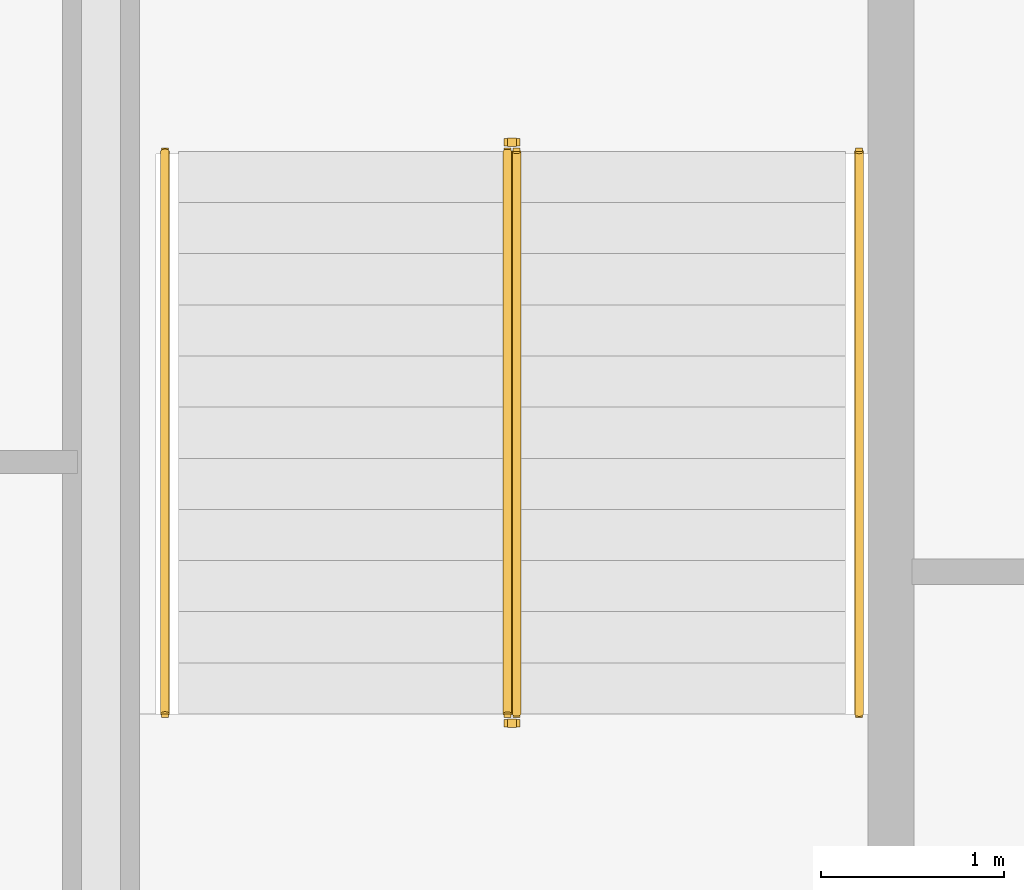
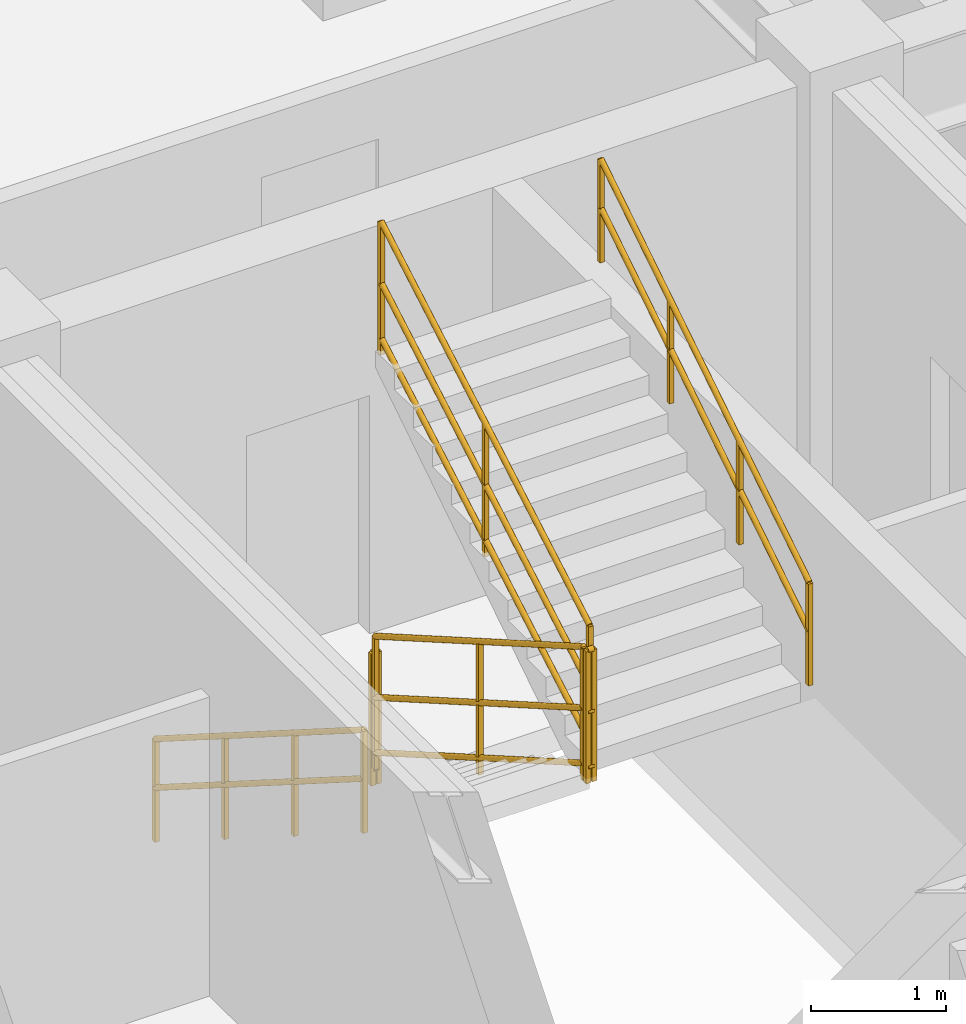
# One storey, part 9 of 9: 6 railings.
"""IFC4 building model written with IfcOpenShell, lengths in metres."""

from ifc_helpers import new_model, entity, si_unit, converted_unit, direction, frame, origin_with_axes, origin_2d_with_axis, place, context, subcontext, project, spatial, rectangle, circle, extrude, material, type_object, element, save


model = new_model("IFC4")

# Units and contexts
model_context = context("Model", 3, precision=1e-05, world=origin_with_axes(), true_north=direction((0.0, 1.0)))
body_context = subcontext(model_context, "Body", "Model", "MODEL_VIEW")
ifc_project = project(units=[si_unit("LENGTHUNIT", "METRE"), si_unit("AREAUNIT", "SQUARE_METRE"), si_unit("VOLUMEUNIT", "CUBIC_METRE"), converted_unit("PLANEANGLEUNIT", "DEGREE", entity("IfcPlaneAngleMeasure", 0.017453292519943295), si_unit("PLANEANGLEUNIT", "RADIAN"), dimensions=[0, 0, 0, 0, 0, 0, 0]), si_unit("MASSUNIT", "GRAM", prefix="KILO"), si_unit("THERMODYNAMICTEMPERATUREUNIT", "KELVIN")], contexts=[model_context])

# Site, building, storey
site_placement = place(None, origin_with_axes())
site = spatial("IfcSite", under=ifc_project, at=site_placement, CompositionType="ELEMENT")
building_placement = place(site_placement, origin_with_axes())
building = spatial("IfcBuilding", under=site, at=building_placement, Name="Varnlund Millrace Tower", CompositionType="ELEMENT")
storey_placement = place(building_placement, frame((0.0, 0.0, 252.9), z_axis=(0.0, 0.0, 1.0), x_axis=(1.0, 0.0, 0.0)))
storey = spatial("IfcBuildingStorey", under=building, at=storey_placement, Name="L62", CompositionType="ELEMENT", Elevation=252.9)

# Railings
ifc_material_1 = material(Name="Painted steel stair well balustrade guard", Category="steel")
railing_type_1 = type_object("IfcRailingType", Name="Type-StairGuard-1150", PredefinedType="GUARDRAIL", material=ifc_material_1)
railing_1_placement = place(storey_placement, frame((0.0, 0.0, -252.9), z_axis=(0.0, 0.0, 1.0), x_axis=(1.0, 0.0, 0.0)))
element("IfcRailing", 1, at=railing_1_placement, inside=storey, type_object=railing_type_1, Name="Type-StairGuard-1150", PredefinedType="GUARDRAIL", context=body_context, shape_type="SweptSolid", body=[
    extrude(circle(Radius=0.024, at=origin_2d_with_axis()), frame((13.625, 35.9, 254.227273), z_axis=(0.0, -0.866696, 0.498836), x_axis=(1.0, 0.0, 0.0)), (0.0, 0.0, 1.0), 3.553725),
    extrude(circle(Radius=0.024, at=origin_2d_with_axis()), frame((13.625, 35.9, 253.177273), z_axis=(0.0, -0.866696, 0.498836), x_axis=(1.0, 0.0, 0.0)), (0.0, 0.0, 1.0), 3.553725),
    extrude(circle(Radius=0.024, at=origin_2d_with_axis()), frame((13.625, 35.9, 253.675273), z_axis=(0.0, -0.866696, 0.498836), x_axis=(1.0, 0.0, 0.0)), (0.0, 0.0, 1.0), 3.553725),
    extrude(rectangle(XDim=0.04, YDim=0.04, at=origin_2d_with_axis()), frame((13.625, 35.9, 253.037273), z_axis=(0.0, 0.0, 1.0), x_axis=(1.0, 0.0, 0.0)), (0.0, 0.0, 1.0), 1.19),
    extrude(rectangle(XDim=0.04, YDim=0.04, at=origin_2d_with_axis()), frame((13.625, 34.36, 253.923637), z_axis=(0.0, 0.0, 1.0), x_axis=(1.0, 0.0, 0.0)), (0.0, 0.0, 1.0), 1.19),
    extrude(rectangle(XDim=0.04, YDim=0.04, at=origin_2d_with_axis()), frame((13.625, 32.82, 254.81), z_axis=(0.0, 0.0, 1.0), x_axis=(1.0, 0.0, 0.0)), (0.0, 0.0, 1.0), 1.19),
])
railing_2_placement = place(storey_placement, frame((0.0, 0.0, -252.9), z_axis=(0.0, 0.0, 1.0), x_axis=(1.0, 0.0, 0.0)))
element("IfcRailing", 2, at=railing_2_placement, inside=storey, type_object=railing_type_1, Name="Type-StairGuard-1150", PredefinedType="GUARDRAIL", context=body_context, shape_type="SweptSolid", body=[
    extrude(circle(Radius=0.024, at=origin_2d_with_axis()), frame((13.675, 32.77, 256.0), z_axis=(-1.0, 0.0, 0.0), x_axis=(0.0, -1.0, 0.0)), (0.0, 0.0, 1.0), 0.05),
    extrude(circle(Radius=0.024, at=origin_2d_with_axis()), frame((13.675, 32.77, 254.95), z_axis=(-1.0, 0.0, 0.0), x_axis=(0.0, -1.0, 0.0)), (0.0, 0.0, 1.0), 0.05),
    extrude(circle(Radius=0.024, at=origin_2d_with_axis()), frame((13.675, 32.77, 255.448), z_axis=(-1.0, 0.0, 0.0), x_axis=(0.0, -1.0, 0.0)), (0.0, 0.0, 1.0), 0.05),
    extrude(rectangle(XDim=0.04, YDim=0.04, at=origin_2d_with_axis()), frame((13.675, 32.77, 254.81), z_axis=(0.0, 0.0, 1.0), x_axis=(1.0, 0.0, 0.0)), (0.0, 0.0, 1.0), 1.19),
    extrude(rectangle(XDim=0.04, YDim=0.04, at=origin_2d_with_axis()), frame((13.625, 32.77, 254.81), z_axis=(0.0, 0.0, 1.0), x_axis=(1.0, 0.0, 0.0)), (0.0, 0.0, 1.0), 1.19),
])
railing_3_placement = place(storey_placement, frame((0.0, 0.0, -252.9), z_axis=(0.0, 0.0, 1.0), x_axis=(1.0, 0.0, 0.0)))
element("IfcRailing", 3, at=railing_3_placement, inside=storey, type_object=railing_type_1, Name="Type-StairGuard-1150", PredefinedType="GUARDRAIL", context=body_context, shape_type="SweptSolid", body=[
    extrude(circle(Radius=0.024, at=origin_2d_with_axis()), frame((13.675, 32.82, 256.177273), z_axis=(0.0, 0.866696, 0.498836), x_axis=(-1.0, 0.0, 0.0)), (0.0, 0.0, 1.0), 3.553725),
    extrude(circle(Radius=0.024, at=origin_2d_with_axis()), frame((13.675, 32.82, 255.127273), z_axis=(0.0, 0.866696, 0.498836), x_axis=(-1.0, 0.0, 0.0)), (0.0, 0.0, 1.0), 3.553725),
    extrude(circle(Radius=0.024, at=origin_2d_with_axis()), frame((13.675, 32.82, 255.625273), z_axis=(0.0, 0.866696, 0.498836), x_axis=(-1.0, 0.0, 0.0)), (0.0, 0.0, 1.0), 3.553725),
    extrude(rectangle(XDim=0.04, YDim=0.04, at=origin_2d_with_axis()), frame((13.675, 32.82, 254.987273), z_axis=(0.0, 0.0, 1.0), x_axis=(1.0, 0.0, 0.0)), (0.0, 0.0, 1.0), 1.19),
    extrude(rectangle(XDim=0.04, YDim=0.04, at=origin_2d_with_axis()), frame((13.675, 34.36, 255.873637), z_axis=(0.0, 0.0, 1.0), x_axis=(1.0, 0.0, 0.0)), (0.0, 0.0, 1.0), 1.19),
    extrude(rectangle(XDim=0.04, YDim=0.04, at=origin_2d_with_axis()), frame((13.675, 35.9, 256.76), z_axis=(0.0, 0.0, 1.0), x_axis=(1.0, 0.0, 0.0)), (0.0, 0.0, 1.0), 1.19),
])
railing_4_placement = place(storey_placement, frame((0.0, 0.0, -252.9), z_axis=(0.0, 0.0, 1.0), x_axis=(1.0, 0.0, 0.0)))
element("IfcRailing", 4, at=railing_4_placement, inside=storey, type_object=railing_type_1, Name="Type-StairGuard-1150", PredefinedType="GUARDRAIL", context=body_context, shape_type="SweptSolid", body=[
    extrude(circle(Radius=0.024, at=origin_2d_with_axis()), frame((13.675, 35.95, 254.05), z_axis=(-1.0, 0.0, 0.0), x_axis=(0.0, -1.0, 0.0)), (0.0, 0.0, 1.0), 0.05),
    extrude(circle(Radius=0.024, at=origin_2d_with_axis()), frame((13.675, 35.95, 253.0), z_axis=(-1.0, 0.0, 0.0), x_axis=(0.0, -1.0, 0.0)), (0.0, 0.0, 1.0), 0.05),
    extrude(circle(Radius=0.024, at=origin_2d_with_axis()), frame((13.675, 35.95, 253.498), z_axis=(-1.0, 0.0, 0.0), x_axis=(0.0, -1.0, 0.0)), (0.0, 0.0, 1.0), 0.05),
    extrude(rectangle(XDim=0.04, YDim=0.04, at=origin_2d_with_axis()), frame((13.675, 35.95, 252.86), z_axis=(0.0, 0.0, 1.0), x_axis=(1.0, 0.0, 0.0)), (0.0, 0.0, 1.0), 1.19),
    extrude(rectangle(XDim=0.04, YDim=0.04, at=origin_2d_with_axis()), frame((13.625, 35.95, 252.86), z_axis=(0.0, 0.0, 1.0), x_axis=(1.0, 0.0, 0.0)), (0.0, 0.0, 1.0), 1.19),
])
ifc_material_2 = material(Name="Brushed architectural bronze stair handrail", Category="aluminium")
railing_type_2 = type_object("IfcRailingType", Name="Type-StairHandrail-900", PredefinedType="HANDRAIL", material=ifc_material_2)
railing_5_placement = place(storey_placement, frame((0.0, 0.0, -252.9), z_axis=(0.0, 0.0, 1.0), x_axis=(1.0, 0.0, 0.0)))
element("IfcRailing", 5, at=railing_5_placement, inside=storey, type_object=railing_type_2, Name="Type-StairHandrail-900", PredefinedType="HANDRAIL", context=body_context, shape_type="SweptSolid", body=[
    extrude(circle(Radius=0.024, at=origin_2d_with_axis()), frame((11.75, 35.9, 253.956995), z_axis=(0.0, -0.844902, 0.534922), x_axis=(1.0, 0.0, 0.0)), (0.0, 0.0, 1.0), 3.645394),
    extrude(circle(Radius=0.024, at=origin_2d_with_axis()), frame((11.75, 35.9, 253.517134), z_axis=(0.0, -0.844902, 0.534922), x_axis=(1.0, 0.0, 0.0)), (0.0, 0.0, 1.0), 3.645394),
    extrude(rectangle(XDim=0.04, YDim=0.04, at=origin_2d_with_axis()), frame((11.75, 35.9, 253.037273), z_axis=(0.0, 0.0, 1.0), x_axis=(1.0, 0.0, 0.0)), (0.0, 0.0, 1.0), 0.919722),
    extrude(rectangle(XDim=0.04, YDim=0.04, at=origin_2d_with_axis()), frame((11.75, 34.873333, 253.687273), z_axis=(0.0, 0.0, 1.0), x_axis=(1.0, 0.0, 0.0)), (0.0, 0.0, 1.0), 0.919722),
    extrude(rectangle(XDim=0.04, YDim=0.04, at=origin_2d_with_axis()), frame((11.75, 33.846667, 254.337273), z_axis=(0.0, 0.0, 1.0), x_axis=(1.0, 0.0, 0.0)), (0.0, 0.0, 1.0), 0.919722),
    extrude(rectangle(XDim=0.04, YDim=0.04, at=origin_2d_with_axis()), frame((11.75, 32.82, 254.987273), z_axis=(0.0, 0.0, 1.0), x_axis=(1.0, 0.0, 0.0)), (0.0, 0.0, 1.0), 0.919722),
])
railing_6_placement = place(storey_placement, frame((0.0, 0.0, -252.9), z_axis=(0.0, 0.0, 1.0), x_axis=(1.0, 0.0, 0.0)))
element("IfcRailing", 6, at=railing_6_placement, inside=storey, type_object=railing_type_2, Name="Type-StairHandrail-900", PredefinedType="HANDRAIL", context=body_context, shape_type="SweptSolid", body=[
    extrude(circle(Radius=0.024, at=origin_2d_with_axis()), frame((15.55, 32.82, 255.906995), z_axis=(0.0, 0.844902, 0.534922), x_axis=(-1.0, 0.0, 0.0)), (0.0, 0.0, 1.0), 3.645394),
    extrude(circle(Radius=0.024, at=origin_2d_with_axis()), frame((15.55, 32.82, 255.467134), z_axis=(0.0, 0.844902, 0.534922), x_axis=(-1.0, 0.0, 0.0)), (0.0, 0.0, 1.0), 3.645394),
    extrude(rectangle(XDim=0.04, YDim=0.04, at=origin_2d_with_axis()), frame((15.55, 32.82, 254.987273), z_axis=(0.0, 0.0, 1.0), x_axis=(1.0, 0.0, 0.0)), (0.0, 0.0, 1.0), 0.919722),
    extrude(rectangle(XDim=0.04, YDim=0.04, at=origin_2d_with_axis()), frame((15.55, 33.846667, 255.637273), z_axis=(0.0, 0.0, 1.0), x_axis=(1.0, 0.0, 0.0)), (0.0, 0.0, 1.0), 0.919722),
    extrude(rectangle(XDim=0.04, YDim=0.04, at=origin_2d_with_axis()), frame((15.55, 34.873333, 256.287273), z_axis=(0.0, 0.0, 1.0), x_axis=(1.0, 0.0, 0.0)), (0.0, 0.0, 1.0), 0.919722),
    extrude(rectangle(XDim=0.04, YDim=0.04, at=origin_2d_with_axis()), frame((15.55, 35.9, 256.937273), z_axis=(0.0, 0.0, 1.0), x_axis=(1.0, 0.0, 0.0)), (0.0, 0.0, 1.0), 0.919722),
])

save(model, "model.ifc")
